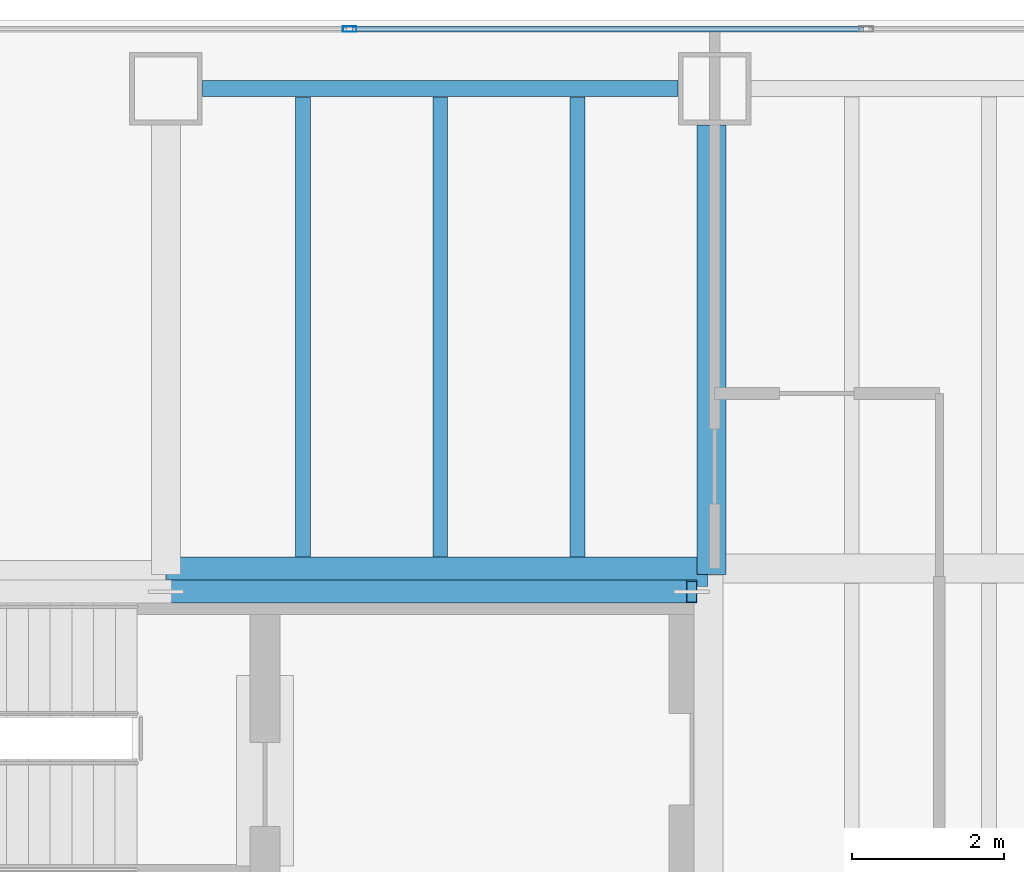
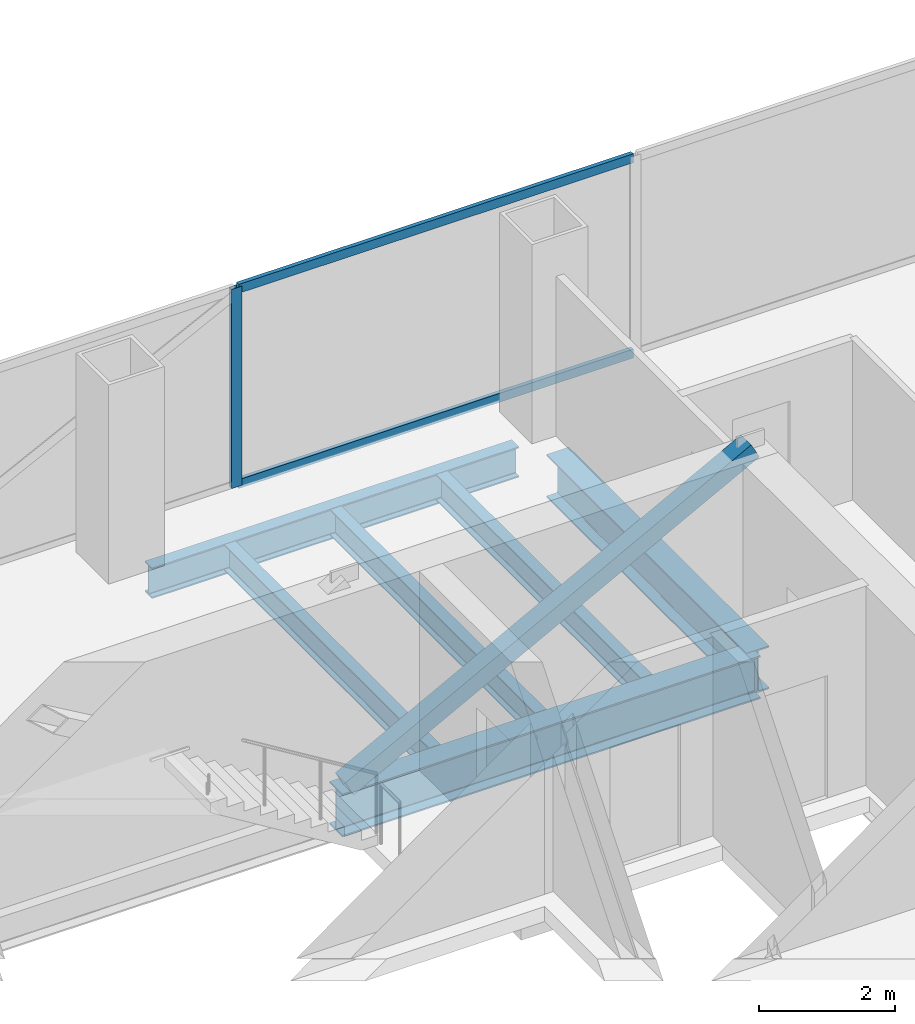
# One storey, part 17 of 23: 6 beams, 4 members, 1 element without a shape of its own.
"""IFC4 building model written with IfcOpenShell, lengths in metres."""

from ifc_helpers import new_model, si_unit, direction, frame, origin, origin_2d, place, context, subcontext, project, spatial, hollow_rectangle, i_section, extrude, material, material_profile, profile_set, type_object, element, aggregate, save


model = new_model("IFC4")

# Units and contexts
model_context = context("Model", 3, precision=1e-05, world=origin(), true_north=direction((0.0, 1.0)))
body_context = subcontext(model_context, "Body", "Model", "MODEL_VIEW")
ifc_project = project(units=[si_unit("LENGTHUNIT", "METRE"), si_unit("AREAUNIT", "SQUARE_METRE"), si_unit("VOLUMEUNIT", "CUBIC_METRE"), si_unit("PLANEANGLEUNIT", "RADIAN"), si_unit("MASSUNIT", "GRAM", prefix="KILO")], contexts=[model_context])

# Site, building, storey
site_placement = place(None, origin())
site = spatial("IfcSite", under=ifc_project, at=site_placement, CompositionType="ELEMENT")
building_placement = place(site_placement, origin())
building = spatial("IfcBuilding", under=site, at=building_placement, Name="Cobrela Telecom Tower", CompositionType="ELEMENT")
storey_placement = place(building_placement, frame((0.0, 0.0, 113.75)))
storey = spatial("IfcBuildingStorey", under=building, at=storey_placement, Name="L28", CompositionType="ELEMENT", Elevation=113.75)

# Beams
ifc_material_1 = material(Name="Steel ASTM A992 Grade 50", Category="steel")
ifc_material_profile_1 = material_profile(ifc_material_1, i_section(OverallWidth=0.381103515625, OverallDepth=0.77197265625, WebThickness=0.0166015625, FlangeThickness=0.027099609375, FilletRadius=0.01904296875, at=origin_2d()), Name="W30X173")
ifc_profile_set_1 = profile_set([ifc_material_profile_1], Name="Steel ASTM A992 Grade 50")
beam_type_1 = type_object("IfcBeamType", Name="BM-GIRD-04", PredefinedType="USERDEFINED", material=ifc_profile_set_1)
beam_1_placement = place(storey_placement, frame((7.205078125, 35.9599609375, -0.656005859375), z_axis=(1.0, 0.0, 0.0), x_axis=(0.0, 1.0, 0.0)))
element("IfcBeam", 1, at=beam_1_placement, inside=storey, type_object=beam_type_1, Name="L28 Primary Girder X26", ObjectType="GIRDER", PredefinedType="USERDEFINED", context=body_context, shape_type="SweptSolid", body=[
    extrude(i_section(OverallWidth=0.381103515625, OverallDepth=0.77197265625, WebThickness=0.0166015625, FlangeThickness=0.027099609375, FilletRadius=0.01904296875, at=origin_2d()), origin(), (0.0, 0.0, 1.0), 7.10986328125),
])
beam_2_placement = place(storey_placement, frame((14.360107421875, 35.925048828125, -0.656005859375), z_axis=(0.0, 1.0, 0.0), x_axis=(-1.0, 0.0, 0.0)))
element("IfcBeam", 2, at=beam_2_placement, inside=storey, type_object=beam_type_1, Name="L28 Primary Girder Y38", ObjectType="GIRDER", PredefinedType="USERDEFINED", context=body_context, shape_type="SweptSolid", body=[
    extrude(i_section(OverallWidth=0.381103515625, OverallDepth=0.77197265625, WebThickness=0.0166015625, FlangeThickness=0.027099609375, FilletRadius=0.01904296875, at=origin_2d()), origin(), (0.0, 0.0, 1.0), 5.89501953125),
])
ifc_material_profile_2 = material_profile(ifc_material_1, i_section(OverallWidth=0.193115234375, OverallDepth=0.467041015625, WebThickness=0.011474609375, FlangeThickness=0.01904296875, FilletRadius=0.012939453125, at=origin_2d()), Name="W18X65")
ifc_profile_set_2 = profile_set([ifc_material_profile_2], Name="Steel ASTM A992 Grade 50")
beam_type_2 = type_object("IfcBeamType", Name="BM-JOIST-03", PredefinedType="JOIST", material=ifc_profile_set_2)
for number, where, z_axis, x_axis, name in (
    (3, (9.0, 36.155517578125, -0.50341796875), (0.0, 1.0, 0.0), (-1.0, 0.0, 0.0), "L28 Secondary Composite Floor Beam J01"),
    (4, (10.800048828125, 36.155517578125, -0.50341796875), (0.0, 1.0, 0.0), (-1.0, 0.0, 0.0), "L28 Secondary Composite Floor Beam J02"),
    (5, (12.60009765625, 36.155517578125, -0.50341796875), (0.0, 1.0, 0.0), (-1.0, 0.0, 0.0), "L28 Secondary Composite Floor Beam J03"),
):
    element("IfcBeam", number, at=place(storey_placement, frame(where, z_axis=z_axis, x_axis=x_axis)), inside=storey, type_object=beam_type_2, Name=name, PredefinedType="JOIST", context=body_context, shape_type="SweptSolid", body=[
        extrude(i_section(OverallWidth=0.193115234375, OverallDepth=0.467041015625, WebThickness=0.011474609375, FlangeThickness=0.01904296875, FilletRadius=0.012939453125, at=origin_2d()), origin(), (0.0, 0.0, 1.0), 6.032958984375),
    ])
ifc_material_profile_3 = material_profile(ifc_material_1, i_section(OverallWidth=0.212890625, OverallDepth=0.549072265625, WebThickness=0.0146484375, FlangeThickness=0.023681640625, FilletRadius=0.013916015625, at=origin_2d()), Name="W21X93")
ifc_profile_set_3 = profile_set([ifc_material_profile_3], Name="Steel ASTM A992 Grade 50")
beam_type_3 = type_object("IfcBeamType", Name="BM-SPAND-03", PredefinedType="SPANDREL", material=ifc_profile_set_3)
beam_3_placement = place(storey_placement, frame((7.679931640625, 42.300048828125, -0.54443359375), z_axis=(1.0, 0.0, 0.0), x_axis=(0.0, 1.0, 0.0)))
element("IfcBeam", 6, at=beam_3_placement, inside=storey, type_object=beam_type_3, Name="L28 Perimeter Spandrel X29", PredefinedType="SPANDREL", context=body_context, shape_type="SweptSolid", body=[
    extrude(i_section(OverallWidth=0.212890625, OverallDepth=0.549072265625, WebThickness=0.0146484375, FlangeThickness=0.023681640625, FilletRadius=0.013916015625, at=origin_2d()), origin(), (0.0, 0.0, 1.0), 6.239990234375),
])

# Curtain wall, members
ifc_material_2 = material(Name="Anodized Bronze Aluminium 6063-T6", Category="aluminium")
curtain_wall_type = type_object("IfcCurtainWallType", Name="CW-SYS-TEL", PredefinedType="USERDEFINED", material=ifc_material_2)
curtain_wall_placement = place(storey_placement, origin())
curtain_wall = element("IfcCurtainWall", 7, at=curtain_wall_placement, inside=storey, type_object=curtain_wall_type, Name="L28 Unitised Bronze Curtain Wall 07", ObjectType="UNITISED CURTAIN WALL", PredefinedType="USERDEFINED")
ifc_material_profile_4 = material_profile(ifc_material_2, hollow_rectangle(XDim=0.074951171875, YDim=0.179931640625, WallThickness=0.00390625, at=origin_2d()), Name="ALU 75x180x4")
ifc_profile_set_4 = profile_set([ifc_material_profile_4], Name="Anodized Bronze Aluminium 6063-T6")
member_type_1 = type_object("IfcMemberType", Name="CW-SYS-TEL-MUL", PredefinedType="MULLION", material=ifc_profile_set_4)
member_1_placement = place(storey_placement, frame((9.610107421875, 43.080078125, 0.0), z_axis=(0.0, 0.0, 1.0), x_axis=(0.0, 1.0, 0.0)))
member_1 = element("IfcMember", 8, at=member_1_placement, type_object=member_type_1, Name="CW-TEL mullion 2", PredefinedType="MULLION", context=body_context, shape_type="SweptSolid", body=[
    extrude(hollow_rectangle(XDim=0.074951171875, YDim=0.179931640625, WallThickness=0.00390625, at=origin_2d()), origin(), (0.0, 0.0, 1.0), 3.580078125),
])
ifc_material_profile_5 = material_profile(ifc_material_2, hollow_rectangle(XDim=0.070068359375, YDim=0.159912109375, WallThickness=0.00390625, at=origin_2d()), Name="ALU 70x160x4")
ifc_profile_set_5 = profile_set([ifc_material_profile_5], Name="Anodized Bronze Aluminium 6063-T6")
member_type_2 = type_object("IfcMemberType", Name="CW-SYS-TEL-TRN", PredefinedType="USERDEFINED", material=ifc_profile_set_5)
member_2_placement = place(storey_placement, frame((9.6474609375, 43.080078125, 0.034912109375), z_axis=(1.0, 0.0, 0.0), x_axis=(0.0, 1.0, 0.0)))
member_2 = element("IfcMember", 9, at=member_2_placement, type_object=member_type_2, Name="CW-TEL transom 2.1", ObjectType="TRANSOM", PredefinedType="USERDEFINED", context=body_context, shape_type="SweptSolid", body=[
    extrude(hollow_rectangle(XDim=0.070068359375, YDim=0.159912109375, WallThickness=0.00390625, at=origin_2d()), origin(), (0.0, 0.0, 1.0), 6.705078125),
])
member_3_placement = place(storey_placement, frame((9.6474609375, 43.080078125, 3.544921875), z_axis=(1.0, 0.0, 0.0), x_axis=(0.0, 1.0, 0.0)))
member_3 = element("IfcMember", 10, at=member_3_placement, type_object=member_type_2, Name="CW-TEL transom 2.2", ObjectType="TRANSOM", PredefinedType="USERDEFINED", context=body_context, shape_type="SweptSolid", body=[
    extrude(hollow_rectangle(XDim=0.070068359375, YDim=0.159912109375, WallThickness=0.00390625, at=origin_2d()), origin(), (0.0, 0.0, 1.0), 6.705078125),
])
aggregate(curtain_wall, [member_1, member_2, member_3])

# Member
ifc_material_3 = material(Name="Steel ASTM A572 Grade 50", Category="steel")
ifc_material_profile_6 = material_profile(ifc_material_3, hollow_rectangle(XDim=0.300048828125, YDim=0.300048828125, WallThickness=0.01611328125, at=origin_2d()), Name="HSS 300x300x16")
ifc_profile_set_6 = profile_set([ifc_material_profile_6], Name="Steel ASTM A572 Grade 50")
member_type_3 = type_object("IfcMemberType", Name="MBR-EXO-03", PredefinedType="BRACE", material=ifc_profile_set_6)
member_4_placement = place(storey_placement, frame((7.199951171875, 35.699951171875, -0.0400390625), z_axis=(0.883409759267, 0.0, 0.468601320134), x_axis=(0.0, 1.0, 0.0)))
element("IfcMember", 11, at=member_4_placement, inside=storey, type_object=member_type_3, Name="L28 Core Flange Steel Brace N2", PredefinedType="BRACE", context=body_context, shape_type="SweptSolid", body=[
    extrude(hollow_rectangle(XDim=0.300048828125, YDim=0.300048828125, WallThickness=0.01611328125, at=origin_2d()), origin(), (0.0, 0.0, 1.0), 7.810791015625),
])

save(model, "model.ifc")
